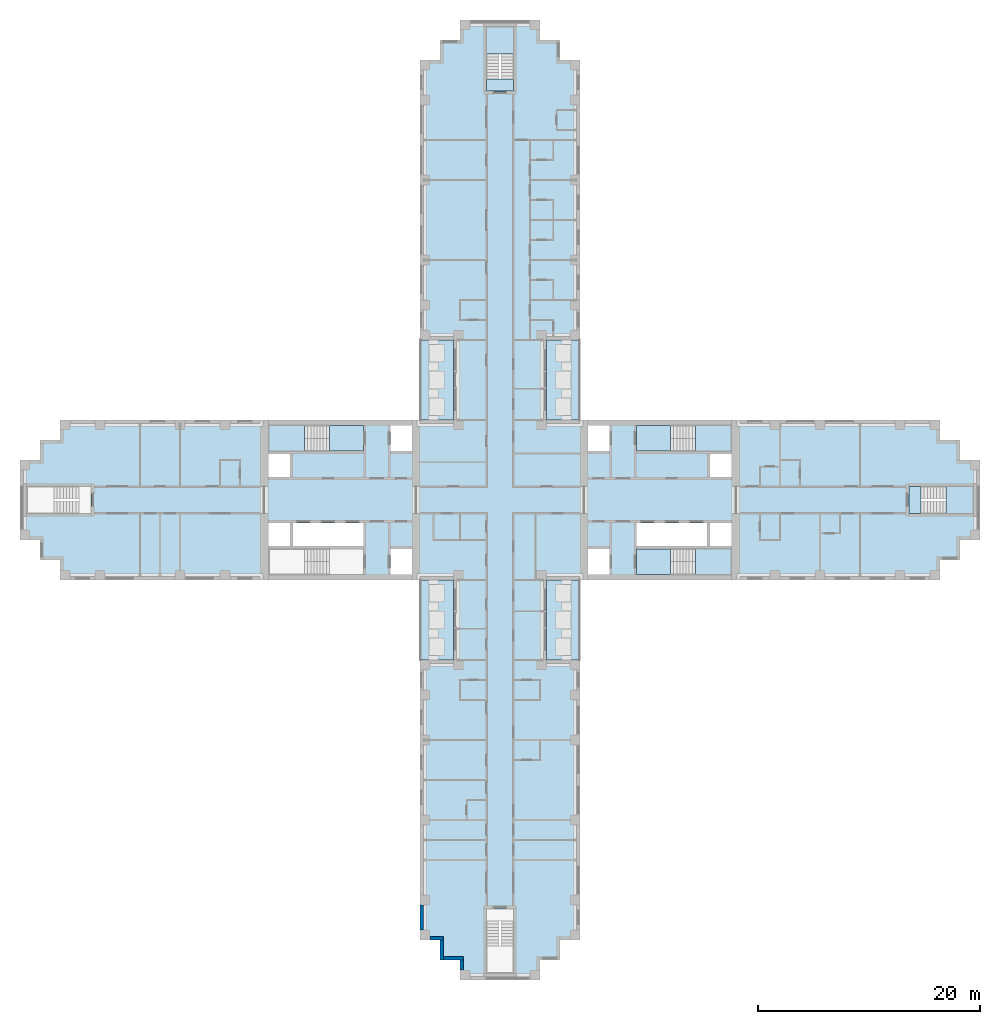
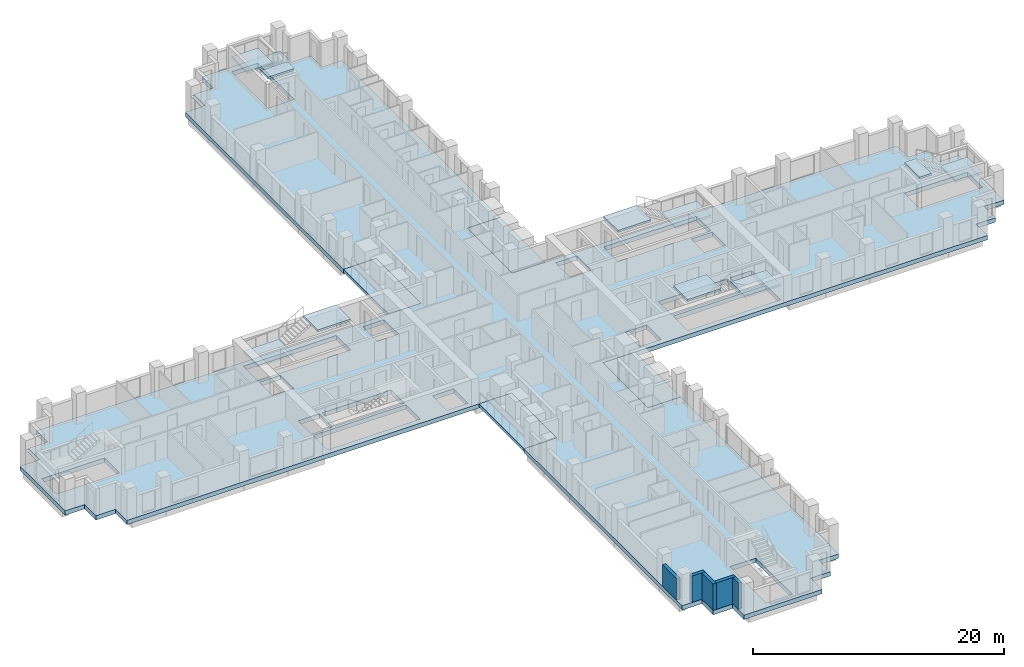
# One storey, part 2 of 15: 15 slabs, 5 walls, 5 elements without a shape of their own.
"""IFC4 building model written with IfcOpenShell, lengths in metres."""

import ifcopenshell
import ifcopenshell.guid

model = None  # the IFC model being written
_history = None  # IfcOwnerHistory: only IFC2X3 demands one
_inside = {}  # id of a spatial element -> (the spatial element, [elements in it])
_under = {}  # id of a project, library or spatial element -> (it, [spatial elements below it])
_declared = {}  # id of a project -> (the project, [libraries it declares])
_typed = {}  # id of a type object -> (the type object, [elements of that type])
_made_of = {}  # id of a material, layer set ... -> (it, [elements and type objects made of it])


def new_model(schema):
    """Start an empty IFC model of exactly this schema.

    Asked for "IFC4X3", IfcOpenShell would pick the latest addendum, in which some entities
    have other attributes; the version numbers below select the first issue.
    IFC2X3 requires an IfcOwnerHistory on every rooted entity: one is made here for all.
    """
    global model, _history
    if schema == "IFC4X3":
        model = ifcopenshell.file(schema_version=(4, 3, 0, 0))
    else:
        model = ifcopenshell.file(schema=schema)
    _inside.clear()
    _under.clear()
    _declared.clear()
    _typed.clear()
    _made_of.clear()
    _history = None
    if model.schema == "IFC2X3":
        org = make("IfcOrganization", Name="unknown")
        user = make(
            "IfcPersonAndOrganization",
            ThePerson=make("IfcPerson", FamilyName="unknown"),
            TheOrganization=org,
        )
        app = make(
            "IfcApplication",
            ApplicationDeveloper=org,
            Version="unknown",
            ApplicationFullName="unknown",
            ApplicationIdentifier="unknown",
        )
        _history = make(
            "IfcOwnerHistory",
            OwningUser=user,
            OwningApplication=app,
            ChangeAction="ADDED",
            CreationDate=0,
        )
    return model


def make(cls, **values):
    """One entity of the class cls with the attributes given. An attribute that is None is left unset."""
    return model.create_entity(
        cls, **{name: value for name, value in values.items() if value is not None}
    )


def rooted(cls, **values):
    """An entity with a GlobalId (a new one), such as an element, a storey or a relation."""
    return make(cls, GlobalId=ifcopenshell.guid.new(), OwnerHistory=_history, **values)


def si_unit(unit_type, name, prefix=None):
    """IfcSIUnit, for example si_unit("LENGTHUNIT", "METRE", prefix="MILLI")."""
    return make("IfcSIUnit", UnitType=unit_type, Prefix=prefix, Name=name)


def assignment(units):
    """IfcUnitAssignment: the units of a project."""
    return None if units is None else make("IfcUnitAssignment", Units=units)


def point(xyz):
    """IfcCartesianPoint."""
    return None if xyz is None else make("IfcCartesianPoint", Coordinates=xyz)


def direction(xyz):
    """IfcDirection."""
    return None if xyz is None else make("IfcDirection", DirectionRatios=xyz)


def frame(location, z_axis=None, x_axis=None):
    """IfcAxis2Placement3D, a coordinate frame: its origin and axes. An axis left out is left unset."""
    return make(
        "IfcAxis2Placement3D",
        Location=point(location),
        Axis=direction(z_axis),
        RefDirection=direction(x_axis),
    )


def frame_2d(location, x_axis=None):
    """IfcAxis2Placement2D, a coordinate frame in the plane: its origin and x axis."""
    return make(
        "IfcAxis2Placement2D", Location=point(location), RefDirection=direction(x_axis)
    )


def origin():
    """The frame at (0, 0, 0) with its axes left unset."""
    return frame((0.0, 0.0, 0.0))


def place(relative_to, where):
    """IfcLocalPlacement: puts the frame where relative to a parent placement (None: the world)."""
    return make(
        "IfcLocalPlacement", PlacementRelTo=relative_to, RelativePlacement=where
    )


def context(
    kind, dimensions, precision=None, world=None, true_north=None, identifier=None
):
    """IfcGeometricRepresentationContext, for example the 3D "Model" context."""
    return make(
        "IfcGeometricRepresentationContext",
        ContextIdentifier=identifier,
        ContextType=kind,
        CoordinateSpaceDimension=dimensions,
        Precision=precision,
        WorldCoordinateSystem=world,
        TrueNorth=true_north,
    )


def subcontext(parent, identifier, kind, view, scale=None):
    """IfcGeometricRepresentationSubContext, for example "Body" below "Model"."""
    return make(
        "IfcGeometricRepresentationSubContext",
        ContextIdentifier=identifier,
        ContextType=kind,
        ParentContext=parent,
        TargetScale=scale,
        TargetView=view,
    )


def project(units=None, contexts=None):
    """IfcProject with its units and contexts."""
    return rooted(
        "IfcProject",
        Name="project",
        RepresentationContexts=contexts,
        UnitsInContext=assignment(units),
    )


def spatial(cls, under=None, at=None, **own):
    """A site, building, storey or space (cls), placed at a placement, below another one or the project."""
    s = rooted(cls, ObjectPlacement=at, **own)
    if under is not None:
        _under.setdefault(under.id(), (under, []))[1].append(s)
    return s


def polyline(points):
    """IfcPolyline through the points."""
    return make("IfcPolyline", Points=[point(p) for p in points])


def profile(cls, at=None, kind="AREA", **sizes):
    """A parametric profile (cls). Its sizes go by their IFC names, for example OverallWidth=200.0."""
    return make(cls, ProfileType=kind, Position=at, **sizes)


def rectangle(**sizes):
    """IfcRectangleProfileDef."""
    return profile("IfcRectangleProfileDef", **sizes)


def outline(outer, holes=None, kind="AREA"):
    """IfcArbitraryClosedProfileDef: a profile drawn as a closed curve; with holes, ...WithVoids."""
    if holes is None:
        return make("IfcArbitraryClosedProfileDef", ProfileType=kind, OuterCurve=outer)
    return make(
        "IfcArbitraryProfileDefWithVoids",
        ProfileType=kind,
        OuterCurve=outer,
        InnerCurves=holes,
    )


def extrude(swept, where, along, depth):
    """IfcExtrudedAreaSolid: the profile swept, set in the frame where, extruded along a direction by depth."""
    return make(
        "IfcExtrudedAreaSolid",
        SweptArea=swept,
        Position=where,
        ExtrudedDirection=direction(along),
        Depth=depth,
    )


def shape(context_of_items, identifier, shape_type, items):
    """IfcShapeRepresentation: the items that make up one representation, for example the "Body"."""
    return make(
        "IfcShapeRepresentation",
        ContextOfItems=context_of_items,
        RepresentationIdentifier=identifier,
        RepresentationType=shape_type,
        Items=items,
    )


def material(Name=None, Category=None):
    """IfcMaterial."""
    return make("IfcMaterial", Name=Name, Category=Category)


def layer(
    of_material, thickness, ventilated=None, Name=None, Category=None, Priority=None
):
    """IfcMaterialLayer: one layer of a wall or slab, of a material (None: an air gap)."""
    return make(
        "IfcMaterialLayer",
        Material=of_material,
        LayerThickness=thickness,
        IsVentilated=ventilated,
        Name=Name,
        Category=Category,
        Priority=Priority,
    )


def layer_set(layers, Name=None):
    """IfcMaterialLayerSet."""
    return make("IfcMaterialLayerSet", MaterialLayers=layers, LayerSetName=Name)


def made_of(thing, what):
    """Note that an element or type object is made of a material, layer set ...; save() writes the relation."""
    if what is not None:
        _made_of.setdefault(what.id(), (what, []))[1].append(thing)
    return thing


def type_object(cls, material=None, **own):
    """A type object (cls), such as IfcWallType, which elements share."""
    return made_of(rooted(cls, **own), material)


def element(
    cls,
    number,
    at=None,
    inside=None,
    cuts=None,
    type_object=None,
    material=None,
    context=None,
    identifier="Body",
    shape_type=None,
    held_by="IfcProductDefinitionShape",
    body=None,
    shapes=None,
    **own,
):
    """One element of the class cls, such as IfcWall. Its Tag is "e" and its number.

    at: its placement. inside: the storey or other place that contains it. cuts: it is an
    opening in that element (IfcRelVoidsElement). A single representation is given by context,
    identifier, shape_type and body (its items); several are given by shapes. held_by: the class
    of the entity that holds the representations. save() writes the other relations.
    """
    e = rooted(cls, Tag="e%d" % number, ObjectPlacement=at, **own)
    if body is not None:
        shapes = [shape(context, identifier, shape_type, body)]
    if shapes is not None:
        e.Representation = make(held_by, Representations=shapes)
    if inside is not None:
        _inside.setdefault(inside.id(), (inside, []))[1].append(e)
    if cuts is not None:
        rooted(
            "IfcRelVoidsElement", RelatingBuildingElement=cuts, RelatedOpeningElement=e
        )
    if type_object is not None:
        _typed.setdefault(type_object.id(), (type_object, []))[1].append(e)
    return made_of(e, material)


def aggregate(whole, parts):
    """IfcRelAggregates: a whole, such as a stair, and the parts it consists of."""
    return rooted("IfcRelAggregates", RelatingObject=whole, RelatedObjects=parts)


def save(model, path):
    """Write the relations noted so far, then the file.

    IfcRelAggregates (storeys below a building ...), IfcRelContainedInSpatialStructure (elements
    in a storey), IfcRelDefinesByType, IfcRelAssociatesMaterial and IfcRelDeclares: one each for
    every whole, place, type object, material and project.
    """
    for whole, parts in _under.values():
        aggregate(whole, parts)
    for where, things in _inside.values():
        rooted(
            "IfcRelContainedInSpatialStructure",
            RelatedElements=things,
            RelatingStructure=where,
        )
    for kind, things in _typed.values():
        rooted("IfcRelDefinesByType", RelatedObjects=things, RelatingType=kind)
    for what, things in _made_of.values():
        rooted("IfcRelAssociatesMaterial", RelatedObjects=things, RelatingMaterial=what)
    for by, libraries in _declared.values():
        rooted("IfcRelDeclares", RelatingContext=by, RelatedDefinitions=libraries)
    model.write(path)


model = new_model("IFC4")

# Units and contexts
model_context = context("Model", 3, precision=1e-05, world=origin(), true_north=direction((0.0, 1.0)))
body_context = subcontext(model_context, "Body", "Model", "MODEL_VIEW")
ifc_project = project(units=[si_unit("LENGTHUNIT", "METRE"), si_unit("AREAUNIT", "SQUARE_METRE"), si_unit("VOLUMEUNIT", "CUBIC_METRE"), si_unit("PLANEANGLEUNIT", "RADIAN"), si_unit("MASSUNIT", "GRAM", prefix="KILO")], contexts=[model_context])

# Site, building, storey
site_placement = place(None, origin())
site = spatial("IfcSite", under=ifc_project, at=site_placement, CompositionType="ELEMENT")
building_placement = place(site_placement, origin())
building = spatial("IfcBuilding", under=site, at=building_placement, Name="Fustian Cross Tower", CompositionType="ELEMENT")
storey_placement = place(building_placement, frame((0.0, 0.0, 35.699951171875)))
storey = spatial("IfcBuildingStorey", under=building, at=storey_placement, Name="L10", CompositionType="ELEMENT", Elevation=35.699951171875)

# Slabs
ifc_material_1 = material(Name="Concrete C40/50", Category="concrete")
ifc_layer_1 = layer(ifc_material_1, 0.300048828125)
ifc_layer_set_1 = layer_set([ifc_layer_1], Name="Concrete C40/50")
slab_type_1 = type_object("IfcSlabType", Name="BS1 BALCONY SLAB 300", PredefinedType="FLOOR", material=ifc_layer_set_1)
slab_1_placement = place(storey_placement, frame((0.0, 0.0, -0.300048828125)))
element("IfcSlab", 1, at=slab_1_placement, inside=storey, type_object=slab_type_1, Name="Balcony slab", PredefinedType="FLOOR", context=body_context, shape_type="SweptSolid", body=[
    extrude(outline(polyline([(4.199951171875, 7.199951171875), (7.199951171875, 7.199951171875), (7.199951171875, 14.39990234375), (4.199951171875, 14.39990234375), (4.199951171875, 7.199951171875)])), origin(), (0.0, 0.0, 1.0), 0.300048828125),
])
slab_2_placement = place(storey_placement, frame((0.0, 0.0, -0.300048828125)))
element("IfcSlab", 2, at=slab_2_placement, inside=storey, type_object=slab_type_1, Name="Balcony slab", PredefinedType="FLOOR", context=body_context, shape_type="SweptSolid", body=[
    extrude(outline(polyline([(-7.199951171875, 7.199951171875), (-4.199951171875, 7.199951171875), (-4.199951171875, 14.39990234375), (-7.199951171875, 14.39990234375), (-7.199951171875, 7.199951171875)])), origin(), (0.0, 0.0, 1.0), 0.300048828125),
])
slab_3_placement = place(storey_placement, frame((0.0, 0.0, -0.300048828125)))
element("IfcSlab", 3, at=slab_3_placement, inside=storey, type_object=slab_type_1, Name="Balcony slab", PredefinedType="FLOOR", context=body_context, shape_type="SweptSolid", body=[
    extrude(outline(polyline([(4.199951171875, -14.39990234375), (7.199951171875, -14.39990234375), (7.199951171875, -7.199951171875), (4.199951171875, -7.199951171875), (4.199951171875, -14.39990234375)])), origin(), (0.0, 0.0, 1.0), 0.300048828125),
])
slab_4_placement = place(storey_placement, frame((0.0, 0.0, -0.300048828125)))
element("IfcSlab", 4, at=slab_4_placement, inside=storey, type_object=slab_type_1, Name="Balcony slab", PredefinedType="FLOOR", context=body_context, shape_type="SweptSolid", body=[
    extrude(outline(polyline([(-7.199951171875, -14.39990234375), (-4.199951171875, -14.39990234375), (-4.199951171875, -7.199951171875), (-7.199951171875, -7.199951171875), (-7.199951171875, -14.39990234375)])), origin(), (0.0, 0.0, 1.0), 0.300048828125),
])
ifc_material_2 = material(Name="Concrete C40/50", Category="concrete")
ifc_layer_2 = layer(ifc_material_2, 0.425048828125)
ifc_layer_set_2 = layer_set([ifc_layer_2], Name="Concrete C40/50")
slab_type_2 = type_object("IfcSlabType", Name="FLAT SLAB 425", PredefinedType="FLOOR", material=ifc_layer_set_2)
slab_5_placement = place(storey_placement, frame((0.0, 0.0, -0.425048828125)))
element("IfcSlab", 5, at=slab_5_placement, inside=storey, type_object=slab_type_2, Name="FLOOR SLAB L10-1", PredefinedType="FLOOR", context=body_context, shape_type="SweptSolid", body=[
    extrude(outline(polyline([(-4.199951171875, -7.199951171875), (-39.60009765625, -7.199951171875), (-39.60009765625, -5.39990234375), (-41.39990234375, -5.39990234375), (-41.39990234375, -3.60009765625), (-43.199951171875, -3.60009765625), (-43.199951171875, 3.60009765625), (-41.39990234375, 3.60009765625), (-41.39990234375, 5.39990234375), (-39.60009765625, 5.39990234375), (-39.60009765625, 7.199951171875), (-4.199951171875, 7.199951171875), (-4.199951171875, 14.39990234375), (-7.199951171875, 14.39990234375), (-7.199951171875, 39.60009765625), (-5.39990234375, 39.60009765625), (-5.39990234375, 41.39990234375), (-3.60009765625, 41.39990234375), (-3.60009765625, 43.199951171875), (3.60009765625, 43.199951171875), (3.60009765625, 41.39990234375), (5.39990234375, 41.39990234375), (5.39990234375, 39.60009765625), (7.199951171875, 39.60009765625), (7.199951171875, 14.39990234375), (4.199951171875, 14.39990234375), (4.199951171875, 7.199951171875), (39.60009765625, 7.199951171875), (39.60009765625, 5.39990234375), (41.39990234375, 5.39990234375), (41.39990234375, 3.60009765625), (43.199951171875, 3.60009765625), (43.199951171875, -3.60009765625), (41.39990234375, -3.60009765625), (41.39990234375, -5.39990234375), (39.60009765625, -5.39990234375), (39.60009765625, -7.199951171875), (4.199951171875, -7.199951171875), (4.199951171875, -14.39990234375), (7.199951171875, -14.39990234375), (7.199951171875, -39.60009765625), (5.39990234375, -39.60009765625), (5.39990234375, -41.39990234375), (3.60009765625, -41.39990234375), (3.60009765625, -43.199951171875), (-3.60009765625, -43.199951171875), (-3.60009765625, -41.39990234375), (-5.39990234375, -41.39990234375), (-5.39990234375, -39.60009765625), (-7.199951171875, -39.60009765625), (-7.199951171875, -14.39990234375), (-4.199951171875, -14.39990234375), (-4.199951171875, -7.199951171875)]), holes=[polyline([(18.89990234375, -2.050048828125), (18.89990234375, -4.14990234375), (20.85009765625, -4.14990234375), (20.85009765625, -2.050048828125), (18.89990234375, -2.050048828125)]), polyline([(20.85009765625, 4.14990234375), (18.89990234375, 4.14990234375), (18.89990234375, 2.050048828125), (20.85009765625, 2.050048828125), (20.85009765625, 4.14990234375)]), polyline([(9.85009765625, 4.39990234375), (9.85009765625, 6.699951171875), (7.89990234375, 6.699951171875), (7.89990234375, 4.39990234375), (9.85009765625, 4.39990234375)]), polyline([(7.89990234375, -6.699951171875), (9.85009765625, -6.699951171875), (9.85009765625, -4.39990234375), (7.89990234375, -4.39990234375), (7.89990234375, -6.699951171875)]), polyline([(-20.85009765625, -2.050048828125), (-20.85009765625, -4.14990234375), (-18.89990234375, -4.14990234375), (-18.89990234375, -2.050048828125), (-20.85009765625, -2.050048828125)]), polyline([(-18.89990234375, 4.14990234375), (-20.85009765625, 4.14990234375), (-20.85009765625, 2.050048828125), (-18.89990234375, 2.050048828125), (-18.89990234375, 4.14990234375)]), polyline([(-7.89990234375, 4.39990234375), (-7.89990234375, 6.699951171875), (-9.85009765625, 6.699951171875), (-9.85009765625, 4.39990234375), (-7.89990234375, 4.39990234375)]), polyline([(-9.85009765625, -6.699951171875), (-7.89990234375, -6.699951171875), (-7.89990234375, -4.39990234375), (-9.85009765625, -4.39990234375), (-9.85009765625, -6.699951171875)]), polyline([(12.300048828125, -2.050048828125), (12.300048828125, -4.14990234375), (18.64990234375, -4.14990234375), (18.64990234375, -2.050048828125), (12.300048828125, -2.050048828125)]), polyline([(-12.300048828125, -2.050048828125), (-18.64990234375, -2.050048828125), (-18.64990234375, -4.14990234375), (-12.300048828125, -4.14990234375), (-12.300048828125, -2.050048828125)]), polyline([(20.85009765625, 4.39990234375), (20.85009765625, 6.699951171875), (12.300048828125, 6.699951171875), (12.300048828125, 4.39990234375), (20.85009765625, 4.39990234375)]), polyline([(12.300048828125, -6.699951171875), (20.85009765625, -6.699951171875), (20.85009765625, -4.39990234375), (12.300048828125, -4.39990234375), (12.300048828125, -6.699951171875)]), polyline([(-20.85009765625, 6.699951171875), (-20.85009765625, 4.39990234375), (-12.300048828125, 4.39990234375), (-12.300048828125, 6.699951171875), (-20.85009765625, 6.699951171875)]), polyline([(-12.300048828125, -4.39990234375), (-20.85009765625, -4.39990234375), (-20.85009765625, -6.699951171875), (-12.300048828125, -6.699951171875), (-12.300048828125, -4.39990234375)]), polyline([(1.199951171875, 36.800048828125), (1.199951171875, 42.60009765625), (-1.199951171875, 42.60009765625), (-1.199951171875, 36.800048828125), (1.199951171875, 36.800048828125)]), polyline([(-1.199951171875, -42.60009765625), (1.199951171875, -42.60009765625), (1.199951171875, -36.800048828125), (-1.199951171875, -36.800048828125), (-1.199951171875, -42.60009765625)]), polyline([(36.800048828125, 1.199951171875), (36.800048828125, -1.199951171875), (42.60009765625, -1.199951171875), (42.60009765625, 1.199951171875), (36.800048828125, 1.199951171875)]), polyline([(-36.800048828125, 1.199951171875), (-42.60009765625, 1.199951171875), (-42.60009765625, -1.199951171875), (-36.800048828125, -1.199951171875), (-36.800048828125, 1.199951171875)])]), origin(), (0.0, 0.0, 1.0), 0.425048828125),
])

# Stair, slabs
ifc_material_3 = material(Name="Concrete C50/60", Category="concrete")
stair_type_1 = type_object("IfcStairType", Name="STAIR 1150 HALF TURN", PredefinedType="HALF_TURN_STAIR", material=ifc_material_3)
stair_1_placement = place(storey_placement, origin())
stair_1 = element("IfcStair", 6, at=stair_1_placement, inside=storey, type_object=stair_type_1, Name="Stair ST1", PredefinedType="HALF_TURN_STAIR")
ifc_material_4 = material(Name="Concrete C50/60", Category="concrete")
ifc_layer_3 = layer(ifc_material_4, 0.199951171875)
ifc_layer_set_3 = layer_set([ifc_layer_3], Name="Concrete C50/60")
slab_type_3 = type_object("IfcSlabType", Name="STAIR LANDING", PredefinedType="LANDING", material=ifc_layer_set_3)
slab_6_placement = place(storey_placement, frame((0.0, 0.0, 1.300048828125)))
slab_6 = element("IfcSlab", 7, at=slab_6_placement, type_object=slab_type_3, Name="ST1 landing 1", PredefinedType="LANDING", context=body_context, shape_type="SweptSolid", body=[
    extrude(outline(polyline([(17.590087890625, 4.39990234375), (20.85009765625, 4.39990234375), (20.85009765625, 6.699951171875), (17.590087890625, 6.699951171875), (17.590087890625, 4.39990234375)])), origin(), (0.0, 0.0, 1.0), 0.199951171875),
])
slab_7_placement = place(storey_placement, frame((0.0, 0.0, 2.800048828125)))
slab_7 = element("IfcSlab", 8, at=slab_7_placement, type_object=slab_type_3, Name="ST1 landing 2", PredefinedType="LANDING", context=body_context, shape_type="SweptSolid", body=[
    extrude(outline(polyline([(12.300048828125, 4.39990234375), (15.35009765625, 4.39990234375), (15.35009765625, 6.699951171875), (12.300048828125, 6.699951171875), (12.300048828125, 4.39990234375)])), origin(), (0.0, 0.0, 1.0), 0.199951171875),
])
aggregate(stair_1, [slab_6, slab_7])

stair_2_placement = place(storey_placement, origin())
stair_2 = element("IfcStair", 9, at=stair_2_placement, inside=storey, type_object=stair_type_1, Name="Stair ST2", PredefinedType="HALF_TURN_STAIR")
slab_8_placement = place(storey_placement, frame((0.0, 0.0, 1.300048828125)))
slab_8 = element("IfcSlab", 10, at=slab_8_placement, type_object=slab_type_3, Name="ST2 landing 1", PredefinedType="LANDING", context=body_context, shape_type="SweptSolid", body=[
    extrude(outline(polyline([(17.590087890625, -4.39990234375), (20.85009765625, -4.39990234375), (20.85009765625, -6.699951171875), (17.590087890625, -6.699951171875), (17.590087890625, -4.39990234375)])), origin(), (0.0, 0.0, 1.0), 0.199951171875),
])
slab_9_placement = place(storey_placement, frame((0.0, 0.0, 2.800048828125)))
slab_9 = element("IfcSlab", 11, at=slab_9_placement, type_object=slab_type_3, Name="ST2 landing 2", PredefinedType="LANDING", context=body_context, shape_type="SweptSolid", body=[
    extrude(outline(polyline([(12.300048828125, -4.39990234375), (15.35009765625, -4.39990234375), (15.35009765625, -6.699951171875), (12.300048828125, -6.699951171875), (12.300048828125, -4.39990234375)])), origin(), (0.0, 0.0, 1.0), 0.199951171875),
])
aggregate(stair_2, [slab_8, slab_9])

stair_3_placement = place(storey_placement, origin())
stair_3 = element("IfcStair", 12, at=stair_3_placement, inside=storey, type_object=stair_type_1, Name="Stair ST3", PredefinedType="HALF_TURN_STAIR")
slab_10_placement = place(storey_placement, frame((0.0, 0.0, 1.300048828125)))
slab_10 = element("IfcSlab", 13, at=slab_10_placement, type_object=slab_type_3, Name="ST3 landing 1", PredefinedType="LANDING", context=body_context, shape_type="SweptSolid", body=[
    extrude(outline(polyline([(-17.590087890625, 4.39990234375), (-20.85009765625, 4.39990234375), (-20.85009765625, 6.699951171875), (-17.590087890625, 6.699951171875), (-17.590087890625, 4.39990234375)])), origin(), (0.0, 0.0, 1.0), 0.199951171875),
])
slab_11_placement = place(storey_placement, frame((0.0, 0.0, 2.800048828125)))
slab_11 = element("IfcSlab", 14, at=slab_11_placement, type_object=slab_type_3, Name="ST3 landing 2", PredefinedType="LANDING", context=body_context, shape_type="SweptSolid", body=[
    extrude(outline(polyline([(-12.300048828125, 4.39990234375), (-15.35009765625, 4.39990234375), (-15.35009765625, 6.699951171875), (-12.300048828125, 6.699951171875), (-12.300048828125, 4.39990234375)])), origin(), (0.0, 0.0, 1.0), 0.199951171875),
])
aggregate(stair_3, [slab_10, slab_11])

ifc_material_5 = material(Name="Concrete C50/60", Category="concrete")
stair_type_2 = type_object("IfcStairType", Name="STAIR 1100 HALF TURN", PredefinedType="HALF_TURN_STAIR", material=ifc_material_5)
stair_4_placement = place(storey_placement, origin())
stair_4 = element("IfcStair", 15, at=stair_4_placement, inside=storey, type_object=stair_type_2, Name="Stair ST5", PredefinedType="HALF_TURN_STAIR")
slab_12_placement = place(storey_placement, frame((0.0, 0.0, 1.300048828125)))
slab_12 = element("IfcSlab", 16, at=slab_12_placement, type_object=slab_type_3, Name="ST5 landing 1", PredefinedType="LANDING", context=body_context, shape_type="SweptSolid", body=[
    extrude(outline(polyline([(-1.199951171875, 40.139892578125), (-1.199951171875, 42.60009765625), (1.199951171875, 42.60009765625), (1.199951171875, 40.139892578125), (-1.199951171875, 40.139892578125)])), origin(), (0.0, 0.0, 1.0), 0.199951171875),
])
slab_13_placement = place(storey_placement, frame((0.0, 0.0, 2.800048828125)))
slab_13 = element("IfcSlab", 17, at=slab_13_placement, type_object=slab_type_3, Name="ST5 landing 2", PredefinedType="LANDING", context=body_context, shape_type="SweptSolid", body=[
    extrude(outline(polyline([(-1.199951171875, 36.800048828125), (-1.199951171875, 37.89990234375), (1.199951171875, 37.89990234375), (1.199951171875, 36.800048828125), (-1.199951171875, 36.800048828125)])), origin(), (0.0, 0.0, 1.0), 0.199951171875),
])
aggregate(stair_4, [slab_12, slab_13])

stair_5_placement = place(storey_placement, origin())
stair_5 = element("IfcStair", 18, at=stair_5_placement, inside=storey, type_object=stair_type_2, Name="Stair ST8", PredefinedType="HALF_TURN_STAIR")
slab_14_placement = place(storey_placement, frame((0.0, 0.0, 1.300048828125)))
slab_14 = element("IfcSlab", 19, at=slab_14_placement, type_object=slab_type_3, Name="ST8 landing 1", PredefinedType="LANDING", context=body_context, shape_type="SweptSolid", body=[
    extrude(outline(polyline([(40.139892578125, -1.199951171875), (42.60009765625, -1.199951171875), (42.60009765625, 1.199951171875), (40.139892578125, 1.199951171875), (40.139892578125, -1.199951171875)])), origin(), (0.0, 0.0, 1.0), 0.199951171875),
])
slab_15_placement = place(storey_placement, frame((0.0, 0.0, 2.800048828125)))
slab_15 = element("IfcSlab", 20, at=slab_15_placement, type_object=slab_type_3, Name="ST8 landing 2", PredefinedType="LANDING", context=body_context, shape_type="SweptSolid", body=[
    extrude(outline(polyline([(36.800048828125, -1.199951171875), (37.89990234375, -1.199951171875), (37.89990234375, 1.199951171875), (36.800048828125, 1.199951171875), (36.800048828125, -1.199951171875)])), origin(), (0.0, 0.0, 1.0), 0.199951171875),
])
aggregate(stair_5, [slab_14, slab_15])

# Walls
ifc_material_6 = material(Name="Dark aluminium cladding on insulated backing wall", Category="aluminium")
ifc_layer_4 = layer(ifc_material_6, 0.300048828125)
ifc_layer_set_4 = layer_set([ifc_layer_4], Name="Dark aluminium cladding on insulated backing wall")
wall_type = type_object("IfcWallType", Name="XW1 EXTERNAL WALL 300", PredefinedType="SOLIDWALL", material=ifc_layer_set_4)
wall_1_placement = place(storey_placement, frame((-7.050048828125, -36.449951171875, 0.0), z_axis=(0.0, 0.0, 1.0), x_axis=(0.0, -1.0, 0.0)))
element("IfcWall", 21, at=wall_1_placement, inside=storey, type_object=wall_type, Name="External wall", PredefinedType="SOLIDWALL", context=body_context, shape_type="SweptSolid", body=[
    extrude(rectangle(XDim=2.25, YDim=0.300048828125, at=frame_2d((1.125, 0.0))), origin(), (0.0, 0.0, 1.0), 2.10009765625),
])
wall_2_placement = place(storey_placement, frame((-6.300048828125, -39.449951171875, 0.0), z_axis=(0.0, 0.0, 1.0), x_axis=(1.0, 0.0, 0.0)))
element("IfcWall", 22, at=wall_2_placement, inside=storey, type_object=wall_type, Name="External wall", PredefinedType="SOLIDWALL", context=body_context, shape_type="SweptSolid", body=[
    extrude(rectangle(XDim=1.199951171875, YDim=0.300048828125, at=frame_2d((0.60009765625, 0.0))), origin(), (0.0, 0.0, 1.0), 2.574951171875),
])
wall_3_placement = place(storey_placement, frame((-5.25, -39.60009765625, 0.0), z_axis=(0.0, 0.0, 1.0), x_axis=(0.0, -1.0, 0.0)))
element("IfcWall", 23, at=wall_3_placement, inside=storey, type_object=wall_type, Name="External wall", PredefinedType="SOLIDWALL", context=body_context, shape_type="SweptSolid", body=[
    extrude(rectangle(XDim=1.7998046875, YDim=0.300048828125, at=frame_2d((0.89990234375, 0.0))), origin(), (0.0, 0.0, 1.0), 2.574951171875),
])
wall_4_placement = place(storey_placement, frame((-5.10009765625, -41.25, 0.0), z_axis=(0.0, 0.0, 1.0), x_axis=(1.0, 0.0, 0.0)))
element("IfcWall", 24, at=wall_4_placement, inside=storey, type_object=wall_type, Name="External wall", PredefinedType="SOLIDWALL", context=body_context, shape_type="SweptSolid", body=[
    extrude(rectangle(XDim=1.800048828125, YDim=0.300048828125, at=frame_2d((0.89990234375, 0.0))), origin(), (0.0, 0.0, 1.0), 2.574951171875),
])
wall_5_placement = place(storey_placement, frame((-3.449951171875, -41.39990234375, 0.0), z_axis=(0.0, 0.0, 1.0), x_axis=(0.0, -1.0, 0.0)))
element("IfcWall", 25, at=wall_5_placement, inside=storey, type_object=wall_type, Name="External wall", PredefinedType="SOLIDWALL", context=body_context, shape_type="SweptSolid", body=[
    extrude(rectangle(XDim=0.900146484375, YDim=0.300048828125, at=frame_2d((0.4501953125, 0.0))), origin(), (0.0, 0.0, 1.0), 2.574951171875),
])

save(model, "model.ifc")
